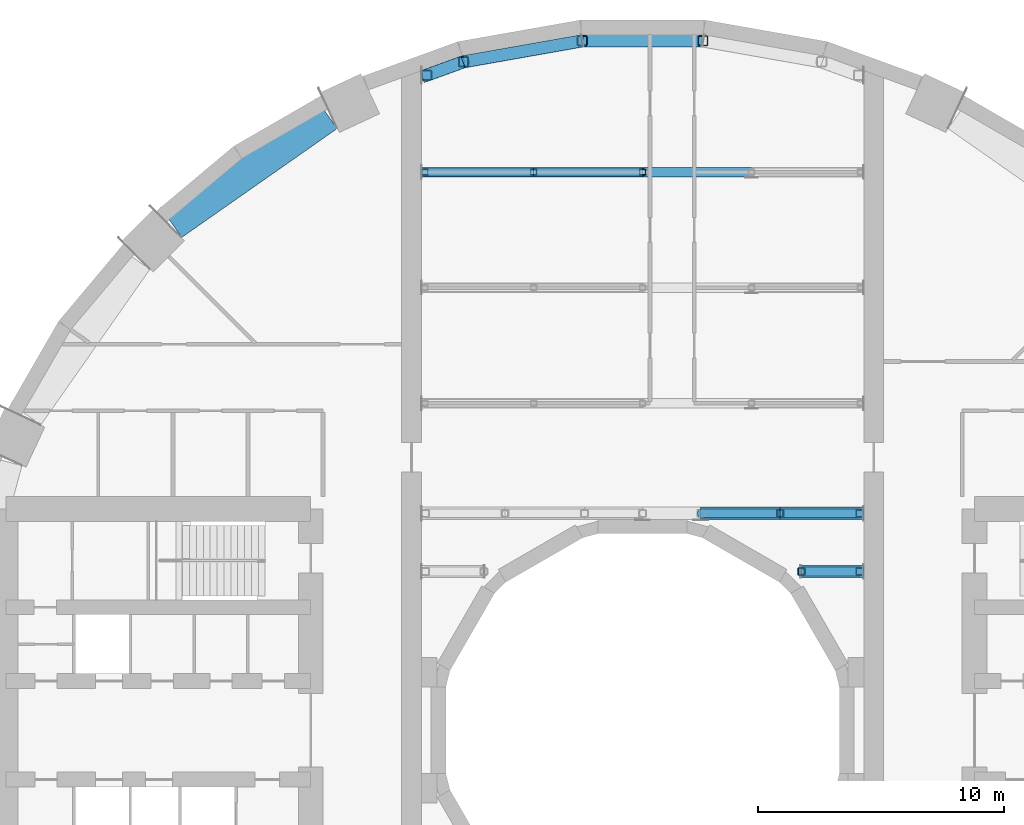
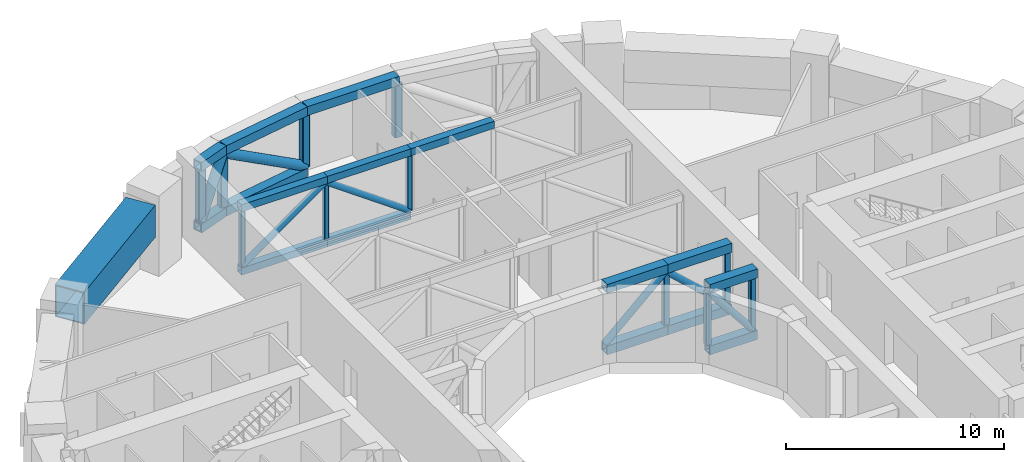
# One storey, part 6 of 21: 34 members, 1 beam.
"""IFC4 building model written with IfcOpenShell, lengths in metres."""

from ifc_helpers import new_model, si_unit, direction, frame, origin, origin_2d, place, context, subcontext, project, spatial, hollow_rectangle, hollow_circle, extrude, material, material_profile, profile_set, type_object, element, save


model = new_model("IFC4")

# Units and contexts
model_context = context("Model", 3, precision=1e-05, world=origin(), true_north=direction((0.0, 1.0)))
body_context = subcontext(model_context, "Body", "Model", "MODEL_VIEW")
ifc_project = project(units=[si_unit("LENGTHUNIT", "METRE"), si_unit("AREAUNIT", "SQUARE_METRE"), si_unit("VOLUMEUNIT", "CUBIC_METRE"), si_unit("PLANEANGLEUNIT", "RADIAN"), si_unit("MASSUNIT", "GRAM", prefix="KILO")], contexts=[model_context])

# Site, building, storey
site_placement = place(None, origin())
site = spatial("IfcSite", under=ifc_project, at=site_placement, CompositionType="ELEMENT")
building_placement = place(site_placement, origin())
building = spatial("IfcBuilding", under=site, at=building_placement, Name="Saqina Gate Tower", CompositionType="ELEMENT")
storey_placement = place(building_placement, frame((0.0, 0.0, 21.800048828125)))
storey = spatial("IfcBuildingStorey", under=building, at=storey_placement, Name="L05", CompositionType="ELEMENT", Elevation=21.800048828125)

# Beam
ifc_material_1 = material(Name="Steel S460", Category="steel")
ifc_material_profile_1 = material_profile(ifc_material_1, hollow_rectangle(XDim=1.5, YDim=1.800048828125, WallThickness=0.06005859375, at=origin_2d()), Name="BOX 1500x1800x60")
ifc_profile_set_1 = profile_set([ifc_material_profile_1], Name="Steel S460")
beam_type = type_object("IfcBeamType", Name="STR-PODIUM TRANSFER GIRDER-BOX 1500x1800x60", PredefinedType="BEAM", material=ifc_profile_set_1)
beam_placement = place(storey_placement, frame((-12.8544921875, 25.086181640625, 3.050048828125), z_axis=(-0.81914571901, -0.573585469679, 0.0), x_axis=(0.573585469679, -0.81914571901, 0.0)))
element("IfcBeam", 1, at=beam_placement, inside=storey, type_object=beam_type, Name="PODIUM TRANSFER GIRDER 04", PredefinedType="BEAM", context=body_context, shape_type="SweptSolid", body=[
    extrude(hollow_rectangle(XDim=1.5, YDim=1.800048828125, WallThickness=0.06005859375, at=origin_2d()), origin(), (0.0, 0.0, 1.0), 7.718017578125),
])

# Members
ifc_material_2 = material(Name="Steel S460", Category="steel")
ifc_material_profile_2 = material_profile(ifc_material_2, hollow_rectangle(XDim=0.39990234375, YDim=0.39990234375, WallThickness=0.030029296875, at=origin_2d()), Name="BOX 400x400x30")
ifc_profile_set_2 = profile_set([ifc_material_profile_2], Name="Steel S460")
member_type_1 = type_object("IfcMemberType", Name="STR-TRANSFER TRUSS CHORD-BOX 400x400x30", PredefinedType="CHORD", material=ifc_profile_set_2)
for number, where, z_axis, x_axis, name in (
    (2, (-8.98193359375, 22.699951171875, 0.199951171875), (1.0, 0.0, 0.0), (0.0, 1.0, 0.0), "TRANSFER TRUSS CHORD 145"),
    (3, (-8.98193359375, 22.699951171875, 3.75), (1.0, 0.0, 0.0), (0.0, 1.0, 0.0), "TRANSFER TRUSS CHORD 146"),
):
    element("IfcMember", number, at=place(storey_placement, frame(where, z_axis=z_axis, x_axis=x_axis)), inside=storey, type_object=member_type_1, Name=name, PredefinedType="CHORD", context=body_context, shape_type="SweptSolid", body=[
        extrude(hollow_rectangle(XDim=0.39990234375, YDim=0.39990234375, WallThickness=0.030029296875, at=origin_2d()), origin(), (0.0, 0.0, 1.0), 4.553466796875),
    ])
for number, where, z_axis, x_axis, name in (
    (4, (-4.428466796875, 22.699951171875, 0.199951171875), (1.0, 0.0, 0.0), (0.0, 1.0, 0.0), "TRANSFER TRUSS CHORD 148"),
    (5, (-4.428466796875, 22.699951171875, 3.75), (1.0, 0.0, 0.0), (0.0, 1.0, 0.0), "TRANSFER TRUSS CHORD 149"),
    (6, (0.0, 22.699951171875, 3.75), (1.0, 0.0, 0.0), (0.0, 1.0, 0.0), "TRANSFER TRUSS CHORD 151"),
):
    element("IfcMember", number, at=place(storey_placement, frame(where, z_axis=z_axis, x_axis=x_axis)), inside=storey, type_object=member_type_1, Name=name, PredefinedType="CHORD", context=body_context, shape_type="SweptSolid", body=[
        extrude(hollow_rectangle(XDim=0.39990234375, YDim=0.39990234375, WallThickness=0.030029296875, at=origin_2d()), origin(), (0.0, 0.0, 1.0), 4.428466796875),
    ])
ifc_material_3 = material(Name="Steel S460", Category="steel")
ifc_material_profile_3 = material_profile(ifc_material_3, hollow_rectangle(XDim=0.5, YDim=0.5, WallThickness=0.0400390625, at=origin_2d()), Name="BOX 500x500x40")
ifc_profile_set_3 = profile_set([ifc_material_profile_3], Name="Steel S460")
member_type_2 = type_object("IfcMemberType", Name="STR-TRANSFER TRUSS CHORD-BOX 500x500x40", PredefinedType="CHORD", material=ifc_profile_set_3)
for number, where, z_axis, x_axis, name in (
    (7, (2.363525390625, 8.821044921875, 0.25), (1.0, 0.0, 0.0), (0.0, 1.0, 0.0), "TRANSFER TRUSS CHORD 049"),
    (8, (2.363525390625, 8.821044921875, 3.699951171875), (1.0, 0.0, 0.0), (0.0, 1.0, 0.0), "TRANSFER TRUSS CHORD 050"),
):
    element("IfcMember", number, at=place(storey_placement, frame(where, z_axis=z_axis, x_axis=x_axis)), inside=storey, type_object=member_type_2, Name=name, PredefinedType="CHORD", context=body_context, shape_type="SweptSolid", body=[
        extrude(hollow_rectangle(XDim=0.5, YDim=0.5, WallThickness=0.0400390625, at=origin_2d()), origin(), (0.0, 0.0, 1.0), 3.234375),
    ])
for number, where, z_axis, x_axis, name in (
    (9, (5.597900390625, 8.821044921875, 0.25), (1.0, 0.0, 0.0), (0.0, 1.0, 0.0), "TRANSFER TRUSS CHORD 052"),
    (10, (5.597900390625, 8.821044921875, 3.699951171875), (1.0, 0.0, 0.0), (0.0, 1.0, 0.0), "TRANSFER TRUSS CHORD 053"),
):
    element("IfcMember", number, at=place(storey_placement, frame(where, z_axis=z_axis, x_axis=x_axis)), inside=storey, type_object=member_type_2, Name=name, PredefinedType="CHORD", context=body_context, shape_type="SweptSolid", body=[
        extrude(hollow_rectangle(XDim=0.5, YDim=0.5, WallThickness=0.0400390625, at=origin_2d()), origin(), (0.0, 0.0, 1.0), 3.384033203125),
    ])
for number, where, z_axis, x_axis, name in (
    (11, (8.98193359375, 6.45751953125, 0.25), (-1.0, 0.0, 0.0), (0.0, -1.0, 0.0), "TRANSFER TRUSS CHORD 175"),
    (12, (8.98193359375, 6.45751953125, 3.699951171875), (-1.0, 0.0, 0.0), (0.0, -1.0, 0.0), "TRANSFER TRUSS CHORD 176"),
):
    element("IfcMember", number, at=place(storey_placement, frame(where, z_axis=z_axis, x_axis=x_axis)), inside=storey, type_object=member_type_2, Name=name, PredefinedType="CHORD", context=body_context, shape_type="SweptSolid", body=[
        extrude(hollow_rectangle(XDim=0.5, YDim=0.5, WallThickness=0.0400390625, at=origin_2d()), origin(), (0.0, 0.0, 1.0), 2.5244140625),
    ])
ifc_material_4 = material(Name="Steel S460", Category="steel")
ifc_material_profile_4 = material_profile(ifc_material_4, hollow_rectangle(XDim=0.5, YDim=0.5, WallThickness=0.06005859375, at=origin_2d()), Name="BOX 500x500x60")
ifc_profile_set_4 = profile_set([ifc_material_profile_4], Name="Steel S460")
member_type_3 = type_object("IfcMemberType", Name="STR-TRANSFER TRUSS CHORD-BOX 500x500x60", PredefinedType="CHORD", material=ifc_profile_set_4)
for number, where, z_axis, x_axis, name in (
    (13, (-8.969970703125, 26.577880859375, 0.25), (0.939696750513, 0.342008796782, 0.0), (-0.342008796782, 0.939696750513, 0.0), "TRANSFER TRUSS CHORD 001"),
    (14, (-8.969970703125, 26.577880859375, 3.699951171875), (0.939696750513, 0.342008796782, 0.0), (-0.342008796782, 0.939696750513, 0.0), "TRANSFER TRUSS CHORD 002"),
):
    element("IfcMember", number, at=place(storey_placement, frame(where, z_axis=z_axis, x_axis=x_axis)), inside=storey, type_object=member_type_3, Name=name, PredefinedType="CHORD", context=body_context, shape_type="SweptSolid", body=[
        extrude(hollow_rectangle(XDim=0.5, YDim=0.5, WallThickness=0.06005859375, at=origin_2d()), origin(), (0.0, 0.0, 1.0), 1.770263671875),
    ])
for number, where, z_axis, x_axis, name in (
    (15, (-7.26416015625, 27.194580078125, 0.25), (0.984807807789, 0.17364786701, 0.0), (-0.17364786701, 0.984807807789, 0.0), "TRANSFER TRUSS CHORD 004"),
    (16, (-7.26416015625, 27.194580078125, 3.699951171875), (0.984807807789, 0.17364786701, 0.0), (-0.17364786701, 0.984807807789, 0.0), "TRANSFER TRUSS CHORD 005"),
    (17, (-2.431640625, 28.04296875, 3.699951171875), (1.0, 0.0, 0.0), (0.0, 1.0, 0.0), "TRANSFER TRUSS CHORD 007"),
):
    element("IfcMember", number, at=place(storey_placement, frame(where, z_axis=z_axis, x_axis=x_axis)), inside=storey, type_object=member_type_3, Name=name, PredefinedType="CHORD", context=body_context, shape_type="SweptSolid", body=[
        extrude(hollow_rectangle(XDim=0.5, YDim=0.5, WallThickness=0.06005859375, at=origin_2d()), origin(), (0.0, 0.0, 1.0), 4.86328125),
    ])
ifc_material_5 = material(Name="Steel S460", Category="steel")
ifc_material_profile_5 = material_profile(ifc_material_5, hollow_circle(Radius=0.161865234375, WallThickness=0.012451171875, at=origin_2d()), Name="CHS 323.9x12.5")
ifc_profile_set_5 = profile_set([ifc_material_profile_5], Name="Steel S460")
member_type_4 = type_object("IfcMemberType", Name="STR-TRANSFER TRUSS DIAGONAL-CHS 323.9x12.5", PredefinedType="BRACE", material=ifc_profile_set_5)
for number, where, z_axis, x_axis, name in (
    (18, (-8.86669921875, 22.699951171875, 0.39306640625), (0.814886313503, 0.0, 0.579620820939), (0.0, 1.0, 0.0), "TRANSFER TRUSS DIAGONAL 147"),
    (19, (-4.438232421875, 22.699951171875, 3.556884765625), (0.814886313503, 0.0, -0.579620820939), (0.0, 1.0, 0.0), "TRANSFER TRUSS DIAGONAL 150"),
):
    element("IfcMember", number, at=place(storey_placement, frame(where, z_axis=z_axis, x_axis=x_axis)), inside=storey, type_object=member_type_4, Name=name, PredefinedType="BRACE", context=body_context, shape_type="SweptSolid", body=[
        extrude(hollow_circle(Radius=0.161865234375, WallThickness=0.012451171875, at=origin_2d()), origin(), (0.0, 0.0, 1.0), 5.45849609375),
    ])
ifc_material_6 = material(Name="Steel S460", Category="steel")
ifc_material_profile_6 = material_profile(ifc_material_6, hollow_circle(Radius=0.177734375, WallThickness=0.01611328125, at=origin_2d()), Name="CHS 355.6x16")
ifc_profile_set_6 = profile_set([ifc_material_profile_6], Name="Steel S460")
member_type_5 = type_object("IfcMemberType", Name="STR-TRANSFER TRUSS DIAGONAL-CHS 355.6x16", PredefinedType="BRACE", material=ifc_profile_set_6)
for number, where, z_axis, x_axis, name in (
    (20, (2.354736328125, 8.821044921875, 0.491943359375), (0.738837245149, 0.0, 0.673883910759), (0.0, 1.0, 0.0), "TRANSFER TRUSS DIAGONAL 051"),
    (21, (5.5888671875, 8.821044921875, 3.4580078125), (0.738837245149, 0.0, -0.673883910759), (0.0, 1.0, 0.0), "TRANSFER TRUSS DIAGONAL 054"),
):
    element("IfcMember", number, at=place(storey_placement, frame(where, z_axis=z_axis, x_axis=x_axis)), inside=storey, type_object=member_type_5, Name=name, PredefinedType="BRACE", context=body_context, shape_type="SweptSolid", body=[
        extrude(hollow_circle(Radius=0.177734375, WallThickness=0.01611328125, at=origin_2d()), origin(), (0.0, 0.0, 1.0), 4.4013671875),
    ])
member_1_placement = place(storey_placement, frame((8.839599609375, 6.45751953125, 0.49072265625), z_axis=(-0.627067246919, 0.0, 0.778965126204), x_axis=(0.0, -1.0, 0.0)))
element("IfcMember", 22, at=member_1_placement, inside=storey, type_object=member_type_5, Name="TRANSFER TRUSS DIAGONAL 177", PredefinedType="BRACE", context=body_context, shape_type="SweptSolid", body=[
    extrude(hollow_circle(Radius=0.177734375, WallThickness=0.01611328125, at=origin_2d()), origin(), (0.0, 0.0, 1.0), 3.810791015625),
])
ifc_material_7 = material(Name="Steel S460", Category="steel")
ifc_material_profile_7 = material_profile(ifc_material_7, hollow_circle(Radius=0.25390625, WallThickness=0.02001953125, at=origin_2d()), Name="CHS 508x20")
ifc_profile_set_7 = profile_set([ifc_material_profile_7], Name="Steel S460")
member_type_6 = type_object("IfcMemberType", Name="STR-TRANSFER TRUSS DIAGONAL-CHS 508x20", PredefinedType="BRACE", material=ifc_profile_set_7)
member_2_placement = place(storey_placement, frame((-8.787353515625, 26.644287109375, 0.489501953125), z_axis=(0.446324920823, 0.162490618453, 0.879994809057), x_axis=(-0.342097539389, 0.939664447313, 0.0)))
element("IfcMember", 23, at=member_2_placement, inside=storey, type_object=member_type_6, Name="TRANSFER TRUSS DIAGONAL 003", PredefinedType="BRACE", context=body_context, shape_type="SweptSolid", body=[
    extrude(hollow_circle(Radius=0.25390625, WallThickness=0.02001953125, at=origin_2d()), origin(), (0.0, 0.0, 1.0), 3.3759765625),
])
member_3_placement = place(storey_placement, frame((-7.2958984375, 27.18896484375, 3.4560546875), z_axis=(0.844012922189, 0.148836048112, -0.515257234748), x_axis=(-0.173663791707, 0.984804999708, 0.0)))
element("IfcMember", 24, at=member_3_placement, inside=storey, type_object=member_type_6, Name="TRANSFER TRUSS DIAGONAL 006", PredefinedType="BRACE", context=body_context, shape_type="SweptSolid", body=[
    extrude(hollow_circle(Radius=0.25390625, WallThickness=0.02001953125, at=origin_2d()), origin(), (0.0, 0.0, 1.0), 5.749267578125),
])
ifc_material_8 = material(Name="Steel S460", Category="steel")
ifc_material_profile_8 = material_profile(ifc_material_8, hollow_rectangle(XDim=0.25, YDim=0.25, WallThickness=0.012451171875, InnerFilletRadius=0.02490234375, OuterFilletRadius=0.03759765625, at=origin_2d()), Name="SHS 250x250x12.5")
ifc_profile_set_8 = profile_set([ifc_material_profile_8], Name="Steel S460")
member_type_7 = type_object("IfcMemberType", Name="STR-TRANSFER TRUSS POST-SHS 250x250x12.5", PredefinedType="POST", material=ifc_profile_set_8)
for number, where, z_axis, x_axis, name in (
    (25, (-8.85693359375, 22.699951171875, 0.39990234375), (0.0, 0.0, 1.0), (1.0, 0.0, 0.0), "TRANSFER TRUSS POST 155"),
    (26, (-4.428466796875, 22.699951171875, 0.39990234375), (0.0, 0.0, 1.0), (1.0, 0.0, 0.0), "TRANSFER TRUSS POST 156"),
    (27, (0.0, 22.699951171875, 0.39990234375), (0.0, 0.0, 1.0), (1.0, 0.0, 0.0), "TRANSFER TRUSS POST 157"),
):
    element("IfcMember", number, at=place(storey_placement, frame(where, z_axis=z_axis, x_axis=x_axis)), inside=storey, type_object=member_type_7, Name=name, PredefinedType="POST", context=body_context, shape_type="SweptSolid", body=[
        extrude(hollow_rectangle(XDim=0.25, YDim=0.25, WallThickness=0.012451171875, InnerFilletRadius=0.02490234375, OuterFilletRadius=0.03759765625, at=origin_2d()), origin(), (0.0, 0.0, 1.0), 3.150146484375),
    ])
ifc_material_9 = material(Name="Steel S460", Category="steel")
ifc_material_profile_9 = material_profile(ifc_material_9, hollow_rectangle(XDim=0.300048828125, YDim=0.300048828125, WallThickness=0.01611328125, InnerFilletRadius=0.031982421875, OuterFilletRadius=0.048095703125, at=origin_2d()), Name="SHS 300x300x16")
ifc_profile_set_9 = profile_set([ifc_material_profile_9], Name="Steel S460")
member_type_8 = type_object("IfcMemberType", Name="STR-TRANSFER TRUSS POST-SHS 300x300x16", PredefinedType="POST", material=ifc_profile_set_9)
for number, where, z_axis, x_axis, name in (
    (28, (5.597900390625, 8.821044921875, 0.5), (0.0, 0.0, 1.0), (1.0, 0.0, 0.0), "TRANSFER TRUSS POST 060"),
    (29, (8.83203125, 8.821044921875, 0.5), (0.0, 0.0, 1.0), (1.0, 0.0, 0.0), "TRANSFER TRUSS POST 061"),
    (30, (8.83203125, 6.45751953125, 0.5), (0.0, 0.0, 1.0), (1.0, 0.0, 0.0), "TRANSFER TRUSS POST 178"),
    (31, (6.45751953125, 6.45751953125, 0.5), (0.0, 0.0, 1.0), (1.0, 0.0, 0.0), "TRANSFER TRUSS POST 179"),
):
    element("IfcMember", number, at=place(storey_placement, frame(where, z_axis=z_axis, x_axis=x_axis)), inside=storey, type_object=member_type_8, Name=name, PredefinedType="POST", context=body_context, shape_type="SweptSolid", body=[
        extrude(hollow_rectangle(XDim=0.300048828125, YDim=0.300048828125, WallThickness=0.01611328125, InnerFilletRadius=0.031982421875, OuterFilletRadius=0.048095703125, at=origin_2d()), origin(), (0.0, 0.0, 1.0), 2.949951171875),
    ])
ifc_material_10 = material(Name="Steel S460", Category="steel")
ifc_material_profile_10 = material_profile(ifc_material_10, hollow_rectangle(XDim=0.39990234375, YDim=0.39990234375, WallThickness=0.02001953125, InnerFilletRadius=0.0400390625, OuterFilletRadius=0.06005859375, at=origin_2d()), Name="SHS 400x400x20")
ifc_profile_set_10 = profile_set([ifc_material_profile_10], Name="Steel S460")
member_type_9 = type_object("IfcMemberType", Name="STR-TRANSFER TRUSS POST-SHS 400x400x20", PredefinedType="POST", material=ifc_profile_set_10)
for number, where, z_axis, x_axis, name in (
    (32, (-8.781982421875, 26.646240234375, 0.5), (0.0, 0.0, 1.0), (1.0, 0.0, 0.0), "TRANSFER TRUSS POST 014"),
    (33, (-7.28564453125, 27.19091796875, 0.5), (0.0, 0.0, 1.0), (1.0, 0.0, 0.0), "TRANSFER TRUSS POST 015"),
    (34, (-2.453369140625, 28.04296875, 0.5), (0.0, 0.0, 1.0), (1.0, 0.0, 0.0), "TRANSFER TRUSS POST 016"),
    (35, (2.453369140625, 28.04296875, 0.5), (0.0, 0.0, 1.0), (1.0, 0.0, 0.0), "TRANSFER TRUSS POST 017"),
):
    element("IfcMember", number, at=place(storey_placement, frame(where, z_axis=z_axis, x_axis=x_axis)), inside=storey, type_object=member_type_9, Name=name, PredefinedType="POST", context=body_context, shape_type="SweptSolid", body=[
        extrude(hollow_rectangle(XDim=0.39990234375, YDim=0.39990234375, WallThickness=0.02001953125, InnerFilletRadius=0.0400390625, OuterFilletRadius=0.06005859375, at=origin_2d()), origin(), (0.0, 0.0, 1.0), 2.949951171875),
    ])

save(model, "model.ifc")
